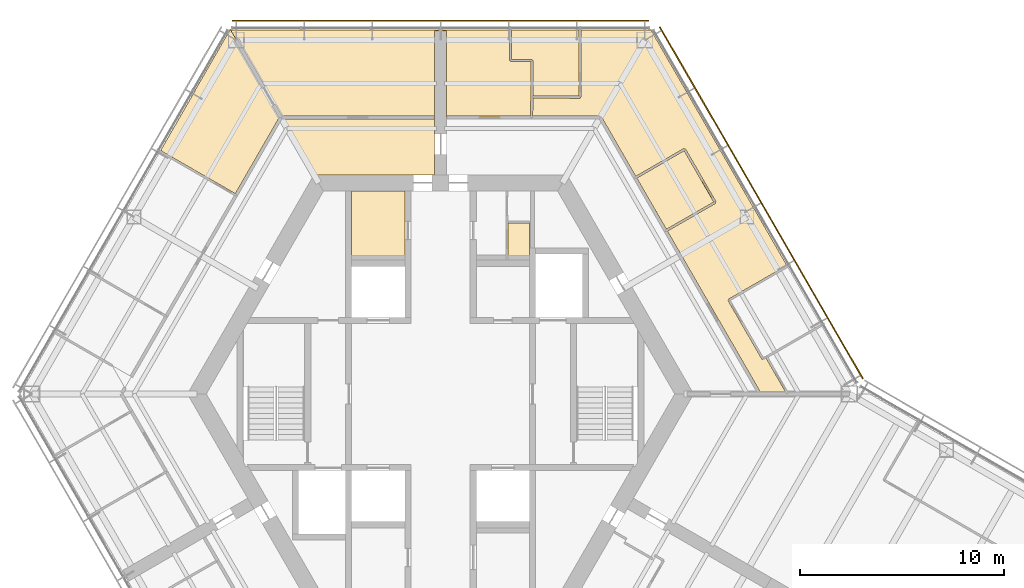
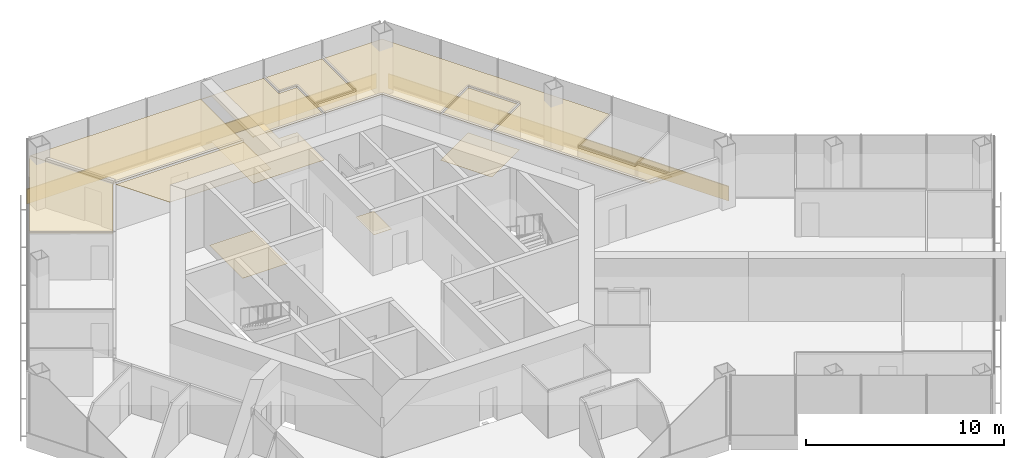
# One storey, part 17 of 17: 11 coverings, 2 shading devices.
"""IFC4 building model written with IfcOpenShell, lengths in metres."""

from ifc_helpers import new_model, si_unit, direction, frame, origin, origin_2d, place, context, subcontext, project, spatial, polyline, rectangle, outline, extrude, material, layer, layer_set, type_object, element, save


model = new_model("IFC4")

# Units and contexts
model_context = context("Model", 3, precision=1e-05, world=origin(), true_north=direction((0.0, 1.0)))
body_context = subcontext(model_context, "Body", "Model", "MODEL_VIEW")
ifc_project = project(units=[si_unit("LENGTHUNIT", "METRE"), si_unit("AREAUNIT", "SQUARE_METRE"), si_unit("VOLUMEUNIT", "CUBIC_METRE"), si_unit("PLANEANGLEUNIT", "RADIAN"), si_unit("MASSUNIT", "GRAM", prefix="KILO")], contexts=[model_context])

# Site, building, storey
site_placement = place(None, origin())
site = spatial("IfcSite", under=ifc_project, at=site_placement, CompositionType="ELEMENT")
building_placement = place(site_placement, origin())
building = spatial("IfcBuilding", under=site, at=building_placement, Name="Kasaneha Research Tower", CompositionType="ELEMENT")
storey_placement = place(building_placement, frame((0.0, 0.0, 228.39990234375)))
storey = spatial("IfcBuildingStorey", under=building, at=storey_placement, Name="L57", CompositionType="ELEMENT", Elevation=228.39990234375)

# Coverings
ifc_material_1 = material(Name="Gypsum ceiling board", Category="gypsum")
ifc_layer_1 = layer(ifc_material_1, 0.02001953125)
ifc_layer_set_1 = layer_set([ifc_layer_1], Name="Suspended ceiling 20")
covering_type_1 = type_object("IfcCoveringType", Name="Suspended ceiling 20", PredefinedType="CEILING", material=ifc_layer_set_1)
covering_1_placement = place(storey_placement, frame((0.0, 0.0, 2.800048828125)))
element("IfcCovering", 1, at=covering_1_placement, inside=storey, type_object=covering_type_1, Name="Ceiling L57-25", PredefinedType="CEILING", context=body_context, shape_type="SweptSolid", body=[
    extrude(outline(polyline([(0.300048828125, 13.525146484375), (0.300048828125, 17.7705078125), (0.0, 17.7705078125), (-0.000244140625, 17.82080078125), (3.4150390625, 17.821044921875), (3.4150390625, 17.800537109375), (3.364990234375, 17.800537109375), (3.364990234375, 16.324951171875), (3.4150390625, 16.324951171875), (3.4150390625, 16.324951171875), (3.4150390625, 16.324951171875), (3.4150390625, 16.27490234375), (4.4150390625, 16.27490234375), (4.4150390625, 14.525146484375), (4.410888671875, 13.60009765625), (0.320068359375, 13.60009765625), (0.320068359375, 13.525146484375), (0.300048828125, 13.525146484375)])), origin(), (0.0, 0.0, 1.0), 0.02001953125),
])
covering_2_placement = place(storey_placement, frame((0.0, 0.0, 2.800048828125)))
element("IfcCovering", 2, at=covering_2_placement, inside=storey, type_object=covering_type_1, Name="Ceiling L57-26", PredefinedType="CEILING", context=body_context, shape_type="SweptSolid", body=[
    extrude(outline(polyline([(9.605224609375, 10.5634765625), (11.919677734375, 11.904541015625), (13.36962890625, 9.393310546875), (11.05078125, 8.0595703125), (9.605224609375, 10.5634765625)])), origin(), (0.0, 0.0, 1.0), 0.02001953125),
])
covering_3_placement = place(storey_placement, frame((0.0, 0.0, 2.800048828125)))
element("IfcCovering", 3, at=covering_3_placement, inside=storey, type_object=covering_type_1, Name="Ceiling L57-28", PredefinedType="CEILING", context=body_context, shape_type="SweptSolid", body=[
    extrude(outline(polyline([(3.41552734375, 17.820556640625), (6.8310546875, 17.820556640625), (6.8310546875, 17.800537109375), (6.781005859375, 17.800537109375), (6.781005859375, 14.570556640625), (4.514892578125, 14.574951171875), (4.514892578125, 16.324951171875), (4.465087890625, 16.324951171875), (4.465087890625, 16.375), (3.465087890625, 16.375), (3.465087890625, 17.800537109375), (3.41552734375, 17.800537109375), (3.41552734375, 17.820556640625)])), origin(), (0.0, 0.0, 1.0), 0.02001953125),
])
covering_4_placement = place(storey_placement, frame((0.0, 0.0, 2.800048828125)))
element("IfcCovering", 4, at=covering_4_placement, inside=storey, type_object=covering_type_1, Name="Ceiling L57-30", PredefinedType="CEILING", context=body_context, shape_type="SweptSolid", body=[
    extrude(outline(polyline([(13.438232421875, 9.374755859375), (13.438232421875, 9.375), (13.481201171875, 9.39990234375), (11.981201171875, 11.998046875), (11.938232421875, 11.97314453125), (11.938232421875, 11.973388671875), (11.937744140625, 11.97314453125), (11.912841796875, 12.016357421875), (9.55517578125, 10.64990234375), (7.87353515625, 13.5625), (7.80908203125, 13.525146484375), (7.808837890625, 13.525390625), (7.80859375, 13.525390625), (7.80859375, 13.60009765625), (4.5107421875, 13.60009765625), (4.514892578125, 14.474853515625), (6.830810546875, 14.470458984375), (6.830810546875, 14.520263671875), (6.831298828125, 14.520263671875), (6.831298828125, 14.5205078125), (6.880859375, 14.5205078125), (6.880859375, 17.800537109375), (6.83154296875, 17.800537109375), (6.83154296875, 17.820556640625), (10.28857421875, 17.820556640625), (16.94677734375, 6.28857421875), (14.0888671875, 4.638427734375), (14.113525390625, 4.595458984375), (14.11328125, 4.59521484375), (14.113525390625, 4.594970703125), (14.070556640625, 4.5703125), (15.736083984375, 1.685546875), (15.78662109375, 1.71484375), (15.913330078125, 1.787353515625), (16.93994140625, 0.0), (15.617919921875, 0.0), (15.606201171875, 0.020263671875), (15.670654296875, 0.0576171875), (11.100830078125, 7.972900390625), (13.462890625, 9.33154296875), (13.43798828125, 9.374755859375), (13.438232421875, 9.374755859375)])), origin(), (0.0, 0.0, 1.0), 0.02001953125),
])
covering_5_placement = place(storey_placement, frame((0.0, 0.0, 2.800048828125)))
element("IfcCovering", 5, at=covering_5_placement, inside=storey, type_object=covering_type_1, Name="Ceiling L57-31", PredefinedType="CEILING", context=body_context, shape_type="SweptSolid", body=[
    extrude(outline(polyline([(-0.300048828125, 11.72509765625), (-0.300048828125, 10.72509765625), (-6.192138671875, 10.72509765625), (-7.765380859375, 13.449951171875), (-7.765380859375, 13.449951171875), (-0.320068359375, 13.449951171875), (-0.320068359375, 13.52490234375), (-0.300048828125, 13.52490234375), (-0.300048828125, 12.72509765625), (-0.300048828125, 11.72509765625)])), origin(), (0.0, 0.0, 1.0), 0.02001953125),
])
covering_6_placement = place(storey_placement, frame((0.0, 0.0, 2.800048828125)))
element("IfcCovering", 6, at=covering_6_placement, inside=storey, type_object=covering_type_1, Name="Ceiling L57-32", PredefinedType="CEILING", context=body_context, shape_type="SweptSolid", body=[
    extrude(outline(polyline([(-0.320068359375, 13.525390625), (-0.320068359375, 13.60009765625), (-7.78564453125, 13.60009765625), (-7.78564453125, 13.525390625), (-7.808837890625, 13.525390625), (-10.28857421875, 17.820556640625), (0.0, 17.820556640625), (0.0, 17.7705078125), (-0.300048828125, 17.7705078125), (-0.300048828125, 17.7705078125), (-0.300048828125, 13.525390625), (-0.320068359375, 13.525390625)])), origin(), (0.0, 0.0, 1.0), 0.02001953125),
])
covering_7_placement = place(storey_placement, frame((0.0, 0.0, 2.800048828125)))
element("IfcCovering", 7, at=covering_7_placement, inside=storey, type_object=covering_type_1, Name="Ceiling L57-35", PredefinedType="CEILING", context=body_context, shape_type="SweptSolid", body=[
    extrude(outline(polyline([(-12.027587890625, 14.83251953125), (-10.299072265625, 17.826416015625), (-10.291748046875, 17.83203125), (-10.282470703125, 17.830810546875), (-7.796875, 13.525634765625), (-7.8017578125, 13.513916015625), (-7.80908203125, 13.525146484375), (-7.820556640625, 13.50537109375), (-7.88525390625, 13.54248046875), (-10.04296875, 9.80517578125), (-13.7001953125, 11.911376953125), (-12.023193359375, 14.816162109375), (-12.02880859375, 14.822998046875), (-12.027587890625, 14.83251953125)])), origin(), (0.0, 0.0, 1.0), 0.02001953125),
])

# Shading devices
ifc_material_2 = material(Name="Terracotta", Category="masonry")
ifc_layer_2 = layer(ifc_material_2, 0.06005859375)
ifc_layer_set_2 = layer_set([ifc_layer_2], Name="Terracotta baguette screen")
shading_device_type = type_object("IfcShadingDeviceType", Name="Terracotta baguette screen", PredefinedType="USERDEFINED", material=ifc_layer_set_2)
shading_device_1_placement = place(storey_placement, frame((15.696044921875, 9.35498046875, -0.449951171875), z_axis=(0.0, 0.0, 1.0), x_axis=(-0.499999979232, 0.866025415775, 0.0)))
element("IfcShadingDevice", 8, at=shading_device_1_placement, inside=storey, type_object=shading_device_type, Name="Baguette screen L57 01", ObjectType="TERRACOTTA BAGUETTE SCREEN", PredefinedType="USERDEFINED", context=body_context, shape_type="SweptSolid", body=[
    extrude(rectangle(XDim=19.8857421875, YDim=0.06005859375, at=origin_2d()), origin(), (0.0, 0.0, 1.0), 0.89990234375),
])
shading_device_2_placement = place(storey_placement, frame((0.0, 18.2705078125, -0.449951171875), z_axis=(0.0, 0.0, 1.0), x_axis=(-1.0, 0.0, 0.0)))
element("IfcShadingDevice", 9, at=shading_device_2_placement, inside=storey, type_object=shading_device_type, Name="Baguette screen L57 02", ObjectType="TERRACOTTA BAGUETTE SCREEN", PredefinedType="USERDEFINED", context=body_context, shape_type="SweptSolid", body=[
    extrude(rectangle(XDim=20.392822265625, YDim=0.06005859375, at=origin_2d()), origin(), (0.0, 0.0, 1.0), 0.89990234375),
])

# Coverings
ifc_material_3 = material(Name="Vinyl sheet flooring", Category="plastic")
ifc_layer_3 = layer(ifc_material_3, 0.0048828125)
ifc_layer_set_3 = layer_set([ifc_layer_3], Name="Wet room sheet flooring 5")
covering_type_2 = type_object("IfcCoveringType", Name="Wet room sheet flooring 5", PredefinedType="FLOORING", material=ifc_layer_set_3)
covering_8_placement = place(storey_placement, origin())
element("IfcCovering", 10, at=covering_8_placement, inside=storey, type_object=covering_type_2, Name="Floor finish L57-06", PredefinedType="FLOORING", context=body_context, shape_type="SweptSolid", body=[
    extrude(outline(polyline([(-1.75, 9.925048828125), (-1.75, 6.550048828125), (-4.35009765625, 6.550048828125), (-4.35009765625, 9.925048828125), (-1.75, 9.925048828125)])), origin(), (0.0, 0.0, 1.0), 0.005126953125),
])
covering_9_placement = place(storey_placement, origin())
element("IfcCovering", 11, at=covering_9_placement, inside=storey, type_object=covering_type_2, Name="Floor finish L57-08", PredefinedType="FLOORING", context=body_context, shape_type="SweptSolid", body=[
    extrude(outline(polyline([(3.300048828125, 6.550048828125), (3.300048828125, 8.375), (4.35009765625, 8.375), (4.35009765625, 7.0), (4.35009765625, 6.550048828125), (3.300048828125, 6.550048828125)])), origin(), (0.0, 0.0, 1.0), 0.005126953125),
])
covering_10_placement = place(storey_placement, origin())
element("IfcCovering", 12, at=covering_10_placement, inside=storey, type_object=covering_type_2, Name="Floor finish L57-25", PredefinedType="FLOORING", context=body_context, shape_type="SweptSolid", body=[
    extrude(outline(polyline([(4.465087890625, 16.324951171875), (4.465087890625, 13.52490234375), (0.299560546875, 13.525146484375), (0.299560546875, 17.77001953125), (0.0, 17.77001953125), (-0.000244140625, 17.82080078125), (3.4150390625, 17.821044921875), (3.4150390625, 16.324951171875), (4.465087890625, 16.324951171875)])), origin(), (0.0, 0.0, 1.0), 0.005126953125),
])
covering_11_placement = place(storey_placement, origin())
element("IfcCovering", 13, at=covering_11_placement, inside=storey, type_object=covering_type_2, Name="Floor finish L57-26", PredefinedType="FLOORING", context=body_context, shape_type="SweptSolid", body=[
    extrude(outline(polyline([(11.93798828125, 11.972900390625), (13.43798828125, 9.375), (11.012939453125, 7.974853515625), (9.512939453125, 10.572998046875), (11.93798828125, 11.972900390625)])), origin(), (0.0, 0.0, 1.0), 0.005126953125),
])

save(model, "model.ifc")
